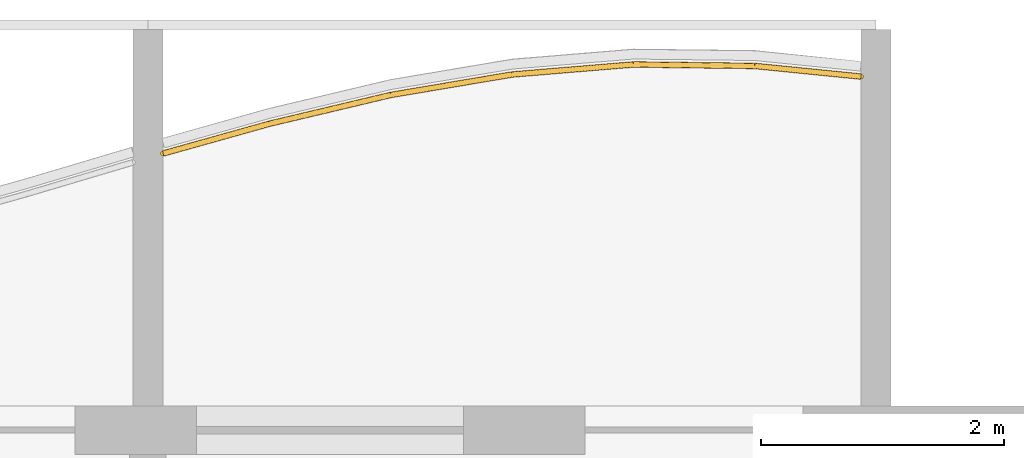
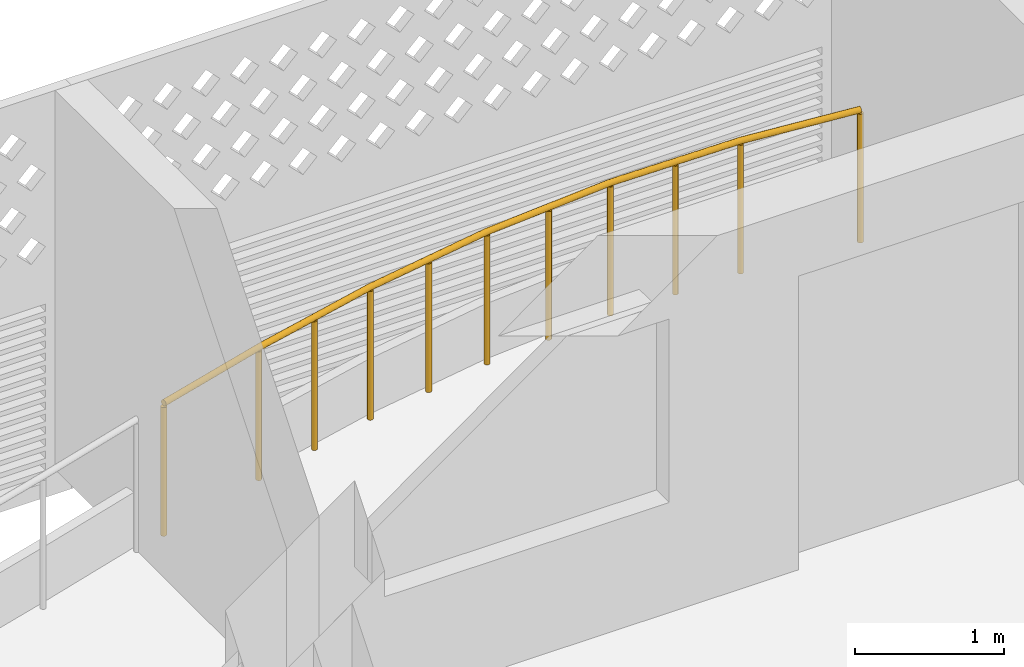
# One storey, part 25 of 26: 1 railing.
"""IFC4 building model written with IfcOpenShell, lengths in metres."""

from ifc_helpers import new_model, si_unit, direction, frame, origin, origin_2d, place, context, subcontext, project, spatial, circle, extrude, material, type_object, element, save


model = new_model("IFC4")

# Units and contexts
model_context = context("Model", 3, precision=1e-05, world=origin(), true_north=direction((0.0, 1.0)))
body_context = subcontext(model_context, "Body", "Model", "MODEL_VIEW")
ifc_project = project(units=[si_unit("LENGTHUNIT", "METRE"), si_unit("AREAUNIT", "SQUARE_METRE"), si_unit("VOLUMEUNIT", "CUBIC_METRE"), si_unit("PLANEANGLEUNIT", "RADIAN"), si_unit("MASSUNIT", "GRAM", prefix="KILO")], contexts=[model_context])

# Site, building, storey
site_placement = place(None, origin())
site = spatial("IfcSite", under=ifc_project, at=site_placement, CompositionType="ELEMENT")
building_placement = place(site_placement, origin())
building = spatial("IfcBuilding", under=site, at=building_placement, Name="Poui Terraces", CompositionType="ELEMENT")
storey_placement = place(building_placement, frame((0.0, 0.0, 162.0)))
storey = spatial("IfcBuildingStorey", under=building, at=storey_placement, Name="L45", CompositionType="ELEMENT", Elevation=162.0)

# Railing
ifc_material = material(Name="Painted steel fretwork", Category="steel")
railing_type = type_object("IfcRailingType", Name="BALCONY GUARD 1100", PredefinedType="GUARDRAIL", material=ifc_material)
railing_placement = place(storey_placement, frame((72.125, 44.679931640625, 0.0)))
element("IfcRailing", 1, at=railing_placement, inside=storey, type_object=railing_type, Name="BALCONY GUARD", PredefinedType="GUARDRAIL", context=body_context, shape_type="SweptSolid", body=[
    extrude(circle(Radius=0.02392578125, at=origin_2d()), frame((0.0, 0.0, 1.076171875), z_axis=(0.963000288712, 0.269500359815, 0.0), x_axis=(-0.269500359815, 0.963000288712, 0.0)), (0.0, 0.0, 1.0), 0.90869140625),
    extrude(circle(Radius=0.02392578125, at=origin_2d()), frame((0.875, 0.244873046875, 1.076171875), z_axis=(0.972979257535, 0.230892538653, 0.0), x_axis=(-0.230892538653, 0.972979257535, 0.0)), (0.0, 0.0, 1.0), 1.02783203125),
    extrude(circle(Radius=0.02392578125, at=origin_2d()), frame((1.875, 0.482177734375, 1.076171875), z_axis=(0.986066669641, 0.166350602715, 0.0), x_axis=(-0.166350602715, 0.986066669641, 0.0)), (0.0, 0.0, 1.0), 1.01416015625),
    extrude(circle(Radius=0.02392578125, at=origin_2d()), frame((2.875, 0.65087890625, 1.076171875), z_axis=(0.99661255374, 0.082240000773, 0.0), x_axis=(-0.082240000773, 0.99661255374, 0.0)), (0.0, 0.0, 1.0), 1.00341796875),
    extrude(circle(Radius=0.02392578125, at=origin_2d()), frame((3.875, 0.7333984375, 1.076171875), z_axis=(0.999928452303, -0.011962034708, 0.0), x_axis=(0.011962034708, 0.999928452303, 0.0)), (0.0, 0.0, 1.0), 1.0),
    extrude(circle(Radius=0.02392578125, at=origin_2d()), frame((4.875, 0.721435546875, 1.076171875), z_axis=(0.995048179628, -0.099393763478, 0.0), x_axis=(0.099393763478, 0.995048179628, 0.0)), (0.0, 0.0, 1.0), 0.87939453125),
    extrude(circle(Radius=0.02099609375, at=origin_2d()), origin(), (0.0, 0.0, 1.0), 1.052001953125),
    extrude(circle(Radius=0.02099609375, at=origin_2d()), frame((0.875, 0.244873046875, 0.0)), (0.0, 0.0, 1.0), 1.052001953125),
    extrude(circle(Radius=0.02099609375, at=origin_2d()), frame((1.375, 0.363525390625, 0.0)), (0.0, 0.0, 1.0), 1.052001953125),
    extrude(circle(Radius=0.02099609375, at=origin_2d()), frame((1.875, 0.482177734375, 0.0)), (0.0, 0.0, 1.0), 1.052001953125),
    extrude(circle(Radius=0.02099609375, at=origin_2d()), frame((2.375, 0.56640625, 0.0)), (0.0, 0.0, 1.0), 1.052001953125),
    extrude(circle(Radius=0.02099609375, at=origin_2d()), frame((2.875, 0.65087890625, 0.0)), (0.0, 0.0, 1.0), 1.052001953125),
    extrude(circle(Radius=0.02099609375, at=origin_2d()), frame((3.375, 0.692138671875, 0.0)), (0.0, 0.0, 1.0), 1.052001953125),
    extrude(circle(Radius=0.02099609375, at=origin_2d()), frame((3.875, 0.7333984375, 0.0)), (0.0, 0.0, 1.0), 1.052001953125),
    extrude(circle(Radius=0.02099609375, at=origin_2d()), frame((4.375, 0.7275390625, 0.0)), (0.0, 0.0, 1.0), 1.052001953125),
    extrude(circle(Radius=0.02099609375, at=origin_2d()), frame((4.875, 0.721435546875, 0.0)), (0.0, 0.0, 1.0), 1.052001953125),
    extrude(circle(Radius=0.02099609375, at=origin_2d()), frame((5.75, 0.634033203125, 0.0)), (0.0, 0.0, 1.0), 1.052001953125),
])

save(model, "model.ifc")
